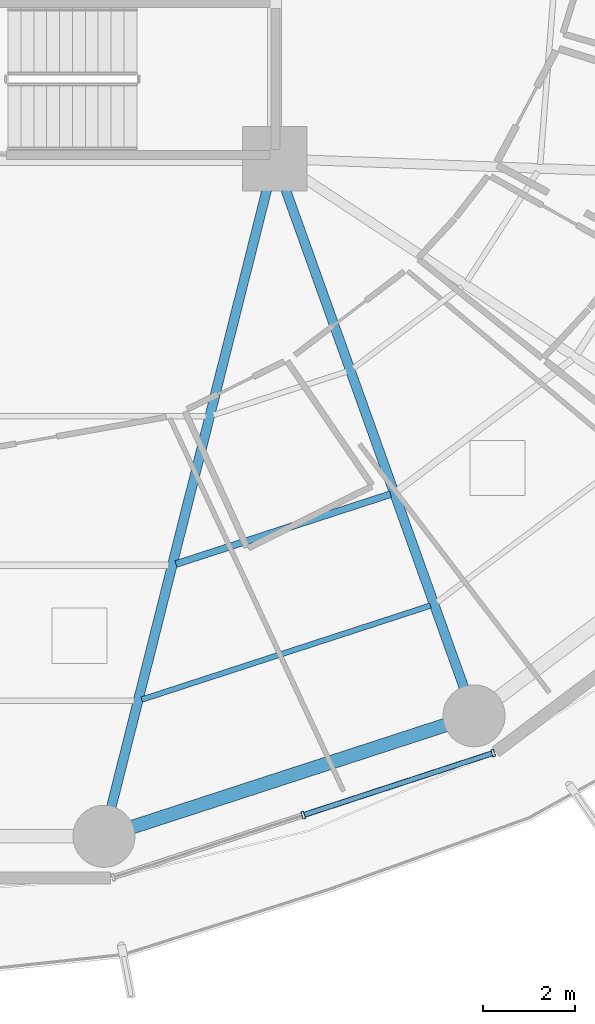
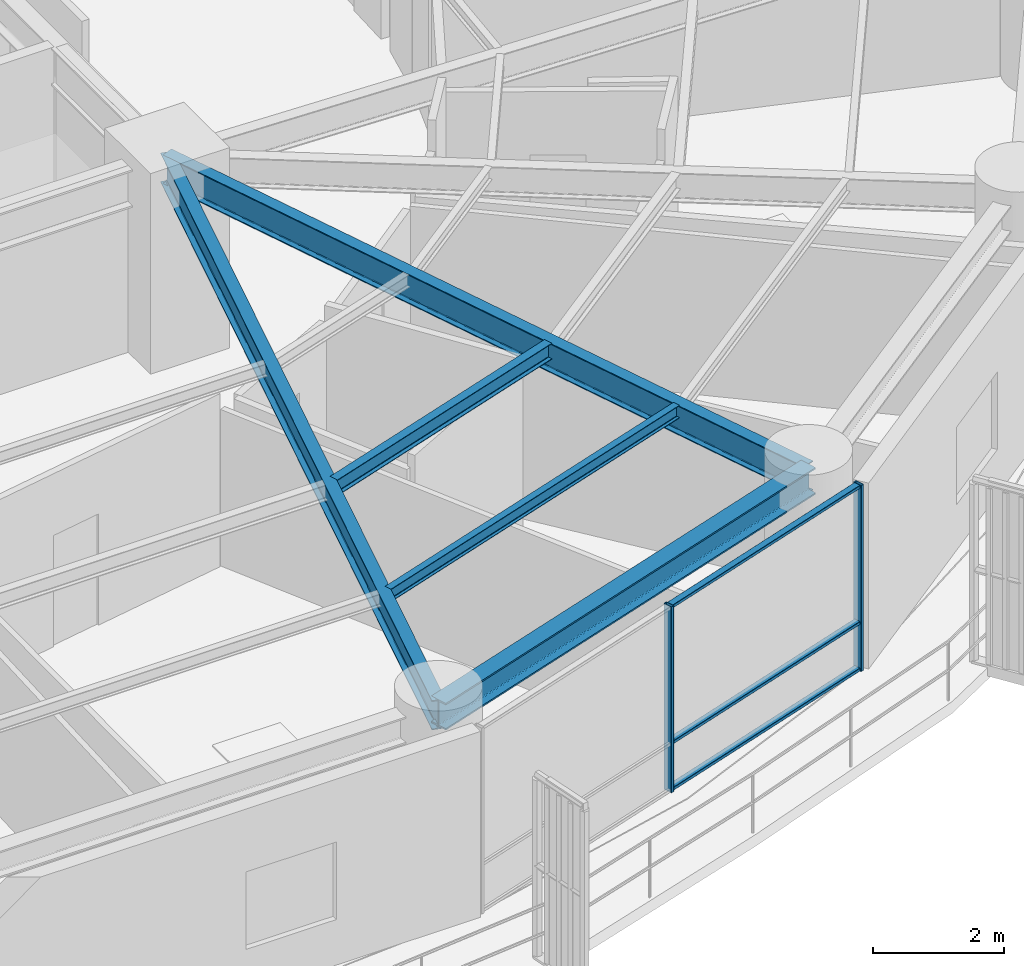
# One storey, part 10 of 36: 5 beams, 5 members, 1 element without a shape of its own.
"""IFC4 building model written with IfcOpenShell, lengths in metres."""

import ifcopenshell
import ifcopenshell.guid

model = None  # the IFC model being written
_history = None  # IfcOwnerHistory: only IFC2X3 demands one
_inside = {}  # id of a spatial element -> (the spatial element, [elements in it])
_under = {}  # id of a project, library or spatial element -> (it, [spatial elements below it])
_declared = {}  # id of a project -> (the project, [libraries it declares])
_typed = {}  # id of a type object -> (the type object, [elements of that type])
_made_of = {}  # id of a material, layer set ... -> (it, [elements and type objects made of it])


def new_model(schema):
    """Start an empty IFC model of exactly this schema.

    Asked for "IFC4X3", IfcOpenShell would pick the latest addendum, in which some entities
    have other attributes; the version numbers below select the first issue.
    IFC2X3 requires an IfcOwnerHistory on every rooted entity: one is made here for all.
    """
    global model, _history
    if schema == "IFC4X3":
        model = ifcopenshell.file(schema_version=(4, 3, 0, 0))
    else:
        model = ifcopenshell.file(schema=schema)
    _inside.clear()
    _under.clear()
    _declared.clear()
    _typed.clear()
    _made_of.clear()
    _history = None
    if model.schema == "IFC2X3":
        org = make("IfcOrganization", Name="unknown")
        user = make(
            "IfcPersonAndOrganization",
            ThePerson=make("IfcPerson", FamilyName="unknown"),
            TheOrganization=org,
        )
        app = make(
            "IfcApplication",
            ApplicationDeveloper=org,
            Version="unknown",
            ApplicationFullName="unknown",
            ApplicationIdentifier="unknown",
        )
        _history = make(
            "IfcOwnerHistory",
            OwningUser=user,
            OwningApplication=app,
            ChangeAction="ADDED",
            CreationDate=0,
        )
    return model


def make(cls, **values):
    """One entity of the class cls with the attributes given. An attribute that is None is left unset."""
    return model.create_entity(
        cls, **{name: value for name, value in values.items() if value is not None}
    )


def rooted(cls, **values):
    """An entity with a GlobalId (a new one), such as an element, a storey or a relation."""
    return make(cls, GlobalId=ifcopenshell.guid.new(), OwnerHistory=_history, **values)


def si_unit(unit_type, name, prefix=None):
    """IfcSIUnit, for example si_unit("LENGTHUNIT", "METRE", prefix="MILLI")."""
    return make("IfcSIUnit", UnitType=unit_type, Prefix=prefix, Name=name)


def assignment(units):
    """IfcUnitAssignment: the units of a project."""
    return None if units is None else make("IfcUnitAssignment", Units=units)


def point(xyz):
    """IfcCartesianPoint."""
    return None if xyz is None else make("IfcCartesianPoint", Coordinates=xyz)


def direction(xyz):
    """IfcDirection."""
    return None if xyz is None else make("IfcDirection", DirectionRatios=xyz)


def frame(location, z_axis=None, x_axis=None):
    """IfcAxis2Placement3D, a coordinate frame: its origin and axes. An axis left out is left unset."""
    return make(
        "IfcAxis2Placement3D",
        Location=point(location),
        Axis=direction(z_axis),
        RefDirection=direction(x_axis),
    )


def frame_2d(location, x_axis=None):
    """IfcAxis2Placement2D, a coordinate frame in the plane: its origin and x axis."""
    return make(
        "IfcAxis2Placement2D", Location=point(location), RefDirection=direction(x_axis)
    )


def origin():
    """The frame at (0, 0, 0) with its axes left unset."""
    return frame((0.0, 0.0, 0.0))


def origin_2d():
    """The frame at (0, 0) in the plane with its x axis left unset."""
    return frame_2d((0.0, 0.0))


def place(relative_to, where):
    """IfcLocalPlacement: puts the frame where relative to a parent placement (None: the world)."""
    return make(
        "IfcLocalPlacement", PlacementRelTo=relative_to, RelativePlacement=where
    )


def context(
    kind, dimensions, precision=None, world=None, true_north=None, identifier=None
):
    """IfcGeometricRepresentationContext, for example the 3D "Model" context."""
    return make(
        "IfcGeometricRepresentationContext",
        ContextIdentifier=identifier,
        ContextType=kind,
        CoordinateSpaceDimension=dimensions,
        Precision=precision,
        WorldCoordinateSystem=world,
        TrueNorth=true_north,
    )


def subcontext(parent, identifier, kind, view, scale=None):
    """IfcGeometricRepresentationSubContext, for example "Body" below "Model"."""
    return make(
        "IfcGeometricRepresentationSubContext",
        ContextIdentifier=identifier,
        ContextType=kind,
        ParentContext=parent,
        TargetScale=scale,
        TargetView=view,
    )


def project(units=None, contexts=None):
    """IfcProject with its units and contexts."""
    return rooted(
        "IfcProject",
        Name="project",
        RepresentationContexts=contexts,
        UnitsInContext=assignment(units),
    )


def spatial(cls, under=None, at=None, **own):
    """A site, building, storey or space (cls), placed at a placement, below another one or the project."""
    s = rooted(cls, ObjectPlacement=at, **own)
    if under is not None:
        _under.setdefault(under.id(), (under, []))[1].append(s)
    return s


def profile(cls, at=None, kind="AREA", **sizes):
    """A parametric profile (cls). Its sizes go by their IFC names, for example OverallWidth=200.0."""
    return make(cls, ProfileType=kind, Position=at, **sizes)


def hollow_rectangle(**sizes):
    """IfcRectangleHollowProfileDef."""
    return profile("IfcRectangleHollowProfileDef", **sizes)


def i_section(**sizes):
    """IfcIShapeProfileDef."""
    return profile("IfcIShapeProfileDef", **sizes)


def extrude(swept, where, along, depth):
    """IfcExtrudedAreaSolid: the profile swept, set in the frame where, extruded along a direction by depth."""
    return make(
        "IfcExtrudedAreaSolid",
        SweptArea=swept,
        Position=where,
        ExtrudedDirection=direction(along),
        Depth=depth,
    )


def shape(context_of_items, identifier, shape_type, items):
    """IfcShapeRepresentation: the items that make up one representation, for example the "Body"."""
    return make(
        "IfcShapeRepresentation",
        ContextOfItems=context_of_items,
        RepresentationIdentifier=identifier,
        RepresentationType=shape_type,
        Items=items,
    )


def material(Name=None, Category=None):
    """IfcMaterial."""
    return make("IfcMaterial", Name=Name, Category=Category)


def layer(
    of_material, thickness, ventilated=None, Name=None, Category=None, Priority=None
):
    """IfcMaterialLayer: one layer of a wall or slab, of a material (None: an air gap)."""
    return make(
        "IfcMaterialLayer",
        Material=of_material,
        LayerThickness=thickness,
        IsVentilated=ventilated,
        Name=Name,
        Category=Category,
        Priority=Priority,
    )


def layer_set(layers, Name=None):
    """IfcMaterialLayerSet."""
    return make("IfcMaterialLayerSet", MaterialLayers=layers, LayerSetName=Name)


def material_profile(
    of_material, cross_section, Name=None, Category=None, Priority=None
):
    """IfcMaterialProfile: a cross section and its material."""
    return make(
        "IfcMaterialProfile",
        Name=Name,
        Material=of_material,
        Profile=cross_section,
        Priority=Priority,
        Category=Category,
    )


def profile_set(profiles, Name=None, composite=None):
    """IfcMaterialProfileSet."""
    return make(
        "IfcMaterialProfileSet",
        Name=Name,
        MaterialProfiles=profiles,
        CompositeProfile=composite,
    )


def made_of(thing, what):
    """Note that an element or type object is made of a material, layer set ...; save() writes the relation."""
    if what is not None:
        _made_of.setdefault(what.id(), (what, []))[1].append(thing)
    return thing


def type_object(cls, material=None, **own):
    """A type object (cls), such as IfcWallType, which elements share."""
    return made_of(rooted(cls, **own), material)


def element(
    cls,
    number,
    at=None,
    inside=None,
    cuts=None,
    type_object=None,
    material=None,
    context=None,
    identifier="Body",
    shape_type=None,
    held_by="IfcProductDefinitionShape",
    body=None,
    shapes=None,
    **own,
):
    """One element of the class cls, such as IfcWall. Its Tag is "e" and its number.

    at: its placement. inside: the storey or other place that contains it. cuts: it is an
    opening in that element (IfcRelVoidsElement). A single representation is given by context,
    identifier, shape_type and body (its items); several are given by shapes. held_by: the class
    of the entity that holds the representations. save() writes the other relations.
    """
    e = rooted(cls, Tag="e%d" % number, ObjectPlacement=at, **own)
    if body is not None:
        shapes = [shape(context, identifier, shape_type, body)]
    if shapes is not None:
        e.Representation = make(held_by, Representations=shapes)
    if inside is not None:
        _inside.setdefault(inside.id(), (inside, []))[1].append(e)
    if cuts is not None:
        rooted(
            "IfcRelVoidsElement", RelatingBuildingElement=cuts, RelatedOpeningElement=e
        )
    if type_object is not None:
        _typed.setdefault(type_object.id(), (type_object, []))[1].append(e)
    return made_of(e, material)


def aggregate(whole, parts):
    """IfcRelAggregates: a whole, such as a stair, and the parts it consists of."""
    return rooted("IfcRelAggregates", RelatingObject=whole, RelatedObjects=parts)


def save(model, path):
    """Write the relations noted so far, then the file.

    IfcRelAggregates (storeys below a building ...), IfcRelContainedInSpatialStructure (elements
    in a storey), IfcRelDefinesByType, IfcRelAssociatesMaterial and IfcRelDeclares: one each for
    every whole, place, type object, material and project.
    """
    for whole, parts in _under.values():
        aggregate(whole, parts)
    for where, things in _inside.values():
        rooted(
            "IfcRelContainedInSpatialStructure",
            RelatedElements=things,
            RelatingStructure=where,
        )
    for kind, things in _typed.values():
        rooted("IfcRelDefinesByType", RelatedObjects=things, RelatingType=kind)
    for what, things in _made_of.values():
        rooted("IfcRelAssociatesMaterial", RelatedObjects=things, RelatingMaterial=what)
    for by, libraries in _declared.values():
        rooted("IfcRelDeclares", RelatingContext=by, RelatedDefinitions=libraries)
    model.write(path)


model = new_model("IFC4")

# Units and contexts
model_context = context("Model", 3, precision=1e-05, world=origin(), true_north=direction((0.0, 1.0)))
body_context = subcontext(model_context, "Body", "Model", "MODEL_VIEW")
ifc_project = project(units=[si_unit("LENGTHUNIT", "METRE"), si_unit("AREAUNIT", "SQUARE_METRE"), si_unit("VOLUMEUNIT", "CUBIC_METRE"), si_unit("PLANEANGLEUNIT", "RADIAN"), si_unit("MASSUNIT", "GRAM", prefix="KILO")], contexts=[model_context])

# Site, building, storey
site_placement = place(None, origin())
site = spatial("IfcSite", under=ifc_project, at=site_placement, CompositionType="ELEMENT")
building_placement = place(site_placement, origin())
building = spatial("IfcBuilding", under=site, at=building_placement, Name="Kelanora Arch Commons", CompositionType="ELEMENT")
storey_placement = place(building_placement, frame((0.0, 0.0, 98.85009765625)))
storey = spatial("IfcBuildingStorey", under=building, at=storey_placement, Name="L25", CompositionType="ELEMENT", Elevation=98.85009765625)

# Beams
ifc_material_1 = material(Name="Steel S355", Category="steel")
ifc_material_profile_1 = material_profile(ifc_material_1, i_section(OverallWidth=0.14990234375, OverallDepth=0.300048828125, WebThickness=0.007080078125, FlangeThickness=0.0107421875, FilletRadius=0.014892578125, at=origin_2d()), Name="IPE300")
ifc_profile_set_1 = profile_set([ifc_material_profile_1], Name="Steel S355")
beam_type_1 = type_object("IfcBeamType", Name="BM-JST-01", PredefinedType="JOIST", material=ifc_profile_set_1)
beam_1_placement = place(storey_placement, frame((79.852294921875, 42.1796875, 3.33984375), z_axis=(0.950857140254, 0.309629938521, 0.0), x_axis=(-0.309629938521, 0.950857140254, 0.0)))
element("IfcBeam", 1, at=beam_1_placement, inside=storey, type_object=beam_type_1, Name="Secondary Chord Joist BJB-28 L25", PredefinedType="JOIST", context=body_context, shape_type="SweptSolid", body=[
    extrude(i_section(OverallWidth=0.14990234375, OverallDepth=0.300048828125, WebThickness=0.007080078125, FlangeThickness=0.0107421875, FilletRadius=0.014892578125, at=origin_2d()), origin(), (0.0, 0.0, 1.0), 4.912353515625),
])
ifc_material_profile_2 = material_profile(ifc_material_1, i_section(OverallWidth=0.1201171875, OverallDepth=0.239990234375, WebThickness=0.006103515625, FlangeThickness=0.009765625, FilletRadius=0.014892578125, at=origin_2d()), Name="IPE240")
ifc_profile_set_2 = profile_set([ifc_material_profile_2], Name="Steel S355")
beam_type_2 = type_object("IfcBeamType", Name="BM-JST-02", PredefinedType="JOIST", material=ifc_profile_set_2)
beam_2_placement = place(storey_placement, frame((79.109375, 39.230712890625, 3.369873046875), z_axis=(0.950862829272, 0.309612467301, 0.0), x_axis=(-0.309612467301, 0.950862829272, 0.0)))
element("IfcBeam", 2, at=beam_2_placement, inside=storey, type_object=beam_type_2, Name="Secondary Chord Joist BJC-28 L25", PredefinedType="JOIST", context=body_context, shape_type="SweptSolid", body=[
    extrude(i_section(OverallWidth=0.1201171875, OverallDepth=0.239990234375, WebThickness=0.006103515625, FlangeThickness=0.009765625, FilletRadius=0.014892578125, at=origin_2d()), origin(), (0.0, 0.0, 1.0), 6.6064453125),
])
ifc_material_profile_3 = material_profile(ifc_material_1, i_section(OverallWidth=0.2099609375, OverallDepth=0.550048828125, WebThickness=0.010986328125, FlangeThickness=0.01708984375, FilletRadius=0.02392578125, at=origin_2d()), Name="IPE550")
ifc_profile_set_3 = profile_set([ifc_material_profile_3], Name="Steel S355")
beam_type_3 = type_object("IfcBeamType", Name="BM-RAD-Z2", PredefinedType="BEAM", material=ifc_profile_set_3)
beam_3_placement = place(storey_placement, frame((82.0, 51.0, 3.21484375), z_axis=(-0.244280647475, -0.969704576286, 0.0), x_axis=(0.969704576286, -0.244280647475, 0.0)))
element("IfcBeam", 3, at=beam_3_placement, inside=storey, type_object=beam_type_3, Name="Radial Floor Girder BR-28 L25", PredefinedType="BEAM", context=body_context, shape_type="SweptSolid", body=[
    extrude(i_section(OverallWidth=0.2099609375, OverallDepth=0.550048828125, WebThickness=0.010986328125, FlangeThickness=0.01708984375, FilletRadius=0.02392578125, at=origin_2d()), origin(), (0.0, 0.0, 1.0), 15.205322265625),
])
beam_4_placement = place(storey_placement, frame((82.0, 51.0, 3.21484375), z_axis=(0.337084640008, -0.941474346687, 0.0), x_axis=(0.941474346687, 0.337084640008, 0.0)))
element("IfcBeam", 4, at=beam_4_placement, inside=storey, type_object=beam_type_3, Name="Radial Floor Girder BR-30 L25", PredefinedType="BEAM", context=body_context, shape_type="SweptSolid", body=[
    extrude(i_section(OverallWidth=0.2099609375, OverallDepth=0.550048828125, WebThickness=0.010986328125, FlangeThickness=0.01708984375, FilletRadius=0.02392578125, at=origin_2d()), origin(), (0.0, 0.0, 1.0), 12.875244140625),
])
ifc_material_profile_4 = material_profile(ifc_material_1, i_section(OverallWidth=0.300048828125, OverallDepth=0.5, WebThickness=0.014404296875, FlangeThickness=0.028076171875, FilletRadius=0.027099609375, at=origin_2d()), Name="HEB500")
ifc_profile_set_4 = profile_set([ifc_material_profile_4], Name="Steel S355")
beam_type_4 = type_object("IfcBeamType", Name="BM-SPN-Z2", PredefinedType="SPANDREL", material=ifc_profile_set_4)
beam_5_placement = place(storey_placement, frame((78.28564453125, 36.25537109375, 3.239990234375), z_axis=(0.950856631974, 0.309631499418, 0.0), x_axis=(-0.309631499418, 0.950856631974, 0.0)))
element("IfcBeam", 5, at=beam_5_placement, inside=storey, type_object=beam_type_4, Name="Perimeter Spandrel Beam BS-28 L25", PredefinedType="SPANDREL", context=body_context, shape_type="SweptSolid", body=[
    extrude(i_section(OverallWidth=0.300048828125, OverallDepth=0.5, WebThickness=0.014404296875, FlangeThickness=0.028076171875, FilletRadius=0.027099609375, at=origin_2d()), origin(), (0.0, 0.0, 1.0), 8.470703125),
])

# Curtain wall, members
ifc_material_2 = material(Name="Terracotta ceramic-fritted low-E glass and aluminium", Category="masonry")
ifc_layer = layer(ifc_material_2, 0.159912109375)
ifc_layer_set = layer_set([ifc_layer], Name="Terracotta ceramic-fritted low-E glass and aluminium")
curtain_wall_type = type_object("IfcCurtainWallType", Name="CW-SYS-01", PredefinedType="NOTDEFINED", material=ifc_layer_set)
curtain_wall_placement = place(storey_placement, origin())
curtain_wall = element("IfcCurtainWall", 6, at=curtain_wall_placement, inside=storey, type_object=curtain_wall_type, Name="Unitised Curtain Wall L25-B14", PredefinedType="NOTDEFINED")
ifc_material_3 = material(Name="Powder-coated aluminium terracotta", Category="masonry")
ifc_material_profile_5 = material_profile(ifc_material_3, hollow_rectangle(XDim=0.159912109375, YDim=0.06005859375, WallThickness=0.0048828125, InnerFilletRadius=0.0048828125, OuterFilletRadius=0.010009765625, at=origin_2d()), Name="CWM160x60")
ifc_profile_set_5 = profile_set([ifc_material_profile_5], Name="Powder-coated aluminium terracotta")
member_type_1 = type_object("IfcMemberType", Name="CWM-STD", PredefinedType="MULLION", material=ifc_profile_set_5)
member_1_placement = place(storey_placement, frame((82.622802734375, 36.71533203125, 0.0), z_axis=(0.0, 0.0, 1.0), x_axis=(-0.31080470294, 0.950473795867, 0.0)))
member_1 = element("IfcMember", 7, at=member_1_placement, type_object=member_type_1, Name="CW-01 mullion 2", PredefinedType="MULLION", context=body_context, shape_type="SweptSolid", body=[
    extrude(hollow_rectangle(XDim=0.159912109375, YDim=0.06005859375, WallThickness=0.0048828125, InnerFilletRadius=0.0048828125, OuterFilletRadius=0.010009765625, at=origin_2d()), origin(), (0.0, 0.0, 1.0), 3.474853515625),
])
member_2_placement = place(storey_placement, frame((86.757080078125, 38.0673828125, 0.0), z_axis=(0.0, 0.0, 1.0), x_axis=(-0.31080470294, 0.950473795867, 0.0)))
member_2 = element("IfcMember", 8, at=member_2_placement, type_object=member_type_1, Name="CW-01 mullion 3", PredefinedType="MULLION", context=body_context, shape_type="SweptSolid", body=[
    extrude(hollow_rectangle(XDim=0.159912109375, YDim=0.06005859375, WallThickness=0.0048828125, InnerFilletRadius=0.0048828125, OuterFilletRadius=0.010009765625, at=origin_2d()), origin(), (0.0, 0.0, 1.0), 3.474853515625),
])
ifc_material_profile_6 = material_profile(ifc_material_3, hollow_rectangle(XDim=0.1201171875, YDim=0.06005859375, WallThickness=0.0048828125, InnerFilletRadius=0.0048828125, OuterFilletRadius=0.010009765625, at=origin_2d()), Name="CWT120x60")
ifc_profile_set_6 = profile_set([ifc_material_profile_6], Name="Powder-coated aluminium terracotta")
member_type_2 = type_object("IfcMemberType", Name="CWT-STD", PredefinedType="USERDEFINED", material=ifc_profile_set_6)
member_3_placement = place(storey_placement, frame((82.651123046875, 36.724609375, 0.02978515625), z_axis=(0.950466230394, 0.310827838008, 0.0), x_axis=(-0.310827838008, 0.950466230394, 0.0)))
member_3 = element("IfcMember", 9, at=member_3_placement, type_object=member_type_2, Name="CW-01 transom 2.1", ObjectType="TRANSOM", PredefinedType="USERDEFINED", context=body_context, shape_type="SweptSolid", body=[
    extrude(hollow_rectangle(XDim=0.1201171875, YDim=0.06005859375, WallThickness=0.0048828125, InnerFilletRadius=0.0048828125, OuterFilletRadius=0.010009765625, at=origin_2d()), origin(), (0.0, 0.0, 1.0), 4.2900390625),
])
member_4_placement = place(storey_placement, frame((82.651123046875, 36.724609375, 0.89990234375), z_axis=(0.950466230394, 0.310827838008, 0.0), x_axis=(-0.310827838008, 0.950466230394, 0.0)))
member_4 = element("IfcMember", 10, at=member_4_placement, type_object=member_type_2, Name="CW-01 transom 2.2", ObjectType="TRANSOM", PredefinedType="USERDEFINED", context=body_context, shape_type="SweptSolid", body=[
    extrude(hollow_rectangle(XDim=0.1201171875, YDim=0.06005859375, WallThickness=0.0048828125, InnerFilletRadius=0.0048828125, OuterFilletRadius=0.010009765625, at=origin_2d()), origin(), (0.0, 0.0, 1.0), 4.2900390625),
])
member_5_placement = place(storey_placement, frame((82.651123046875, 36.724609375, 3.44482421875), z_axis=(0.950466230394, 0.310827838008, 0.0), x_axis=(-0.310827838008, 0.950466230394, 0.0)))
member_5 = element("IfcMember", 11, at=member_5_placement, type_object=member_type_2, Name="CW-01 transom 2.3", ObjectType="TRANSOM", PredefinedType="USERDEFINED", context=body_context, shape_type="SweptSolid", body=[
    extrude(hollow_rectangle(XDim=0.1201171875, YDim=0.06005859375, WallThickness=0.0048828125, InnerFilletRadius=0.0048828125, OuterFilletRadius=0.010009765625, at=origin_2d()), origin(), (0.0, 0.0, 1.0), 4.2900390625),
])
aggregate(curtain_wall, [member_1, member_2, member_3, member_4, member_5])

save(model, "model.ifc")
